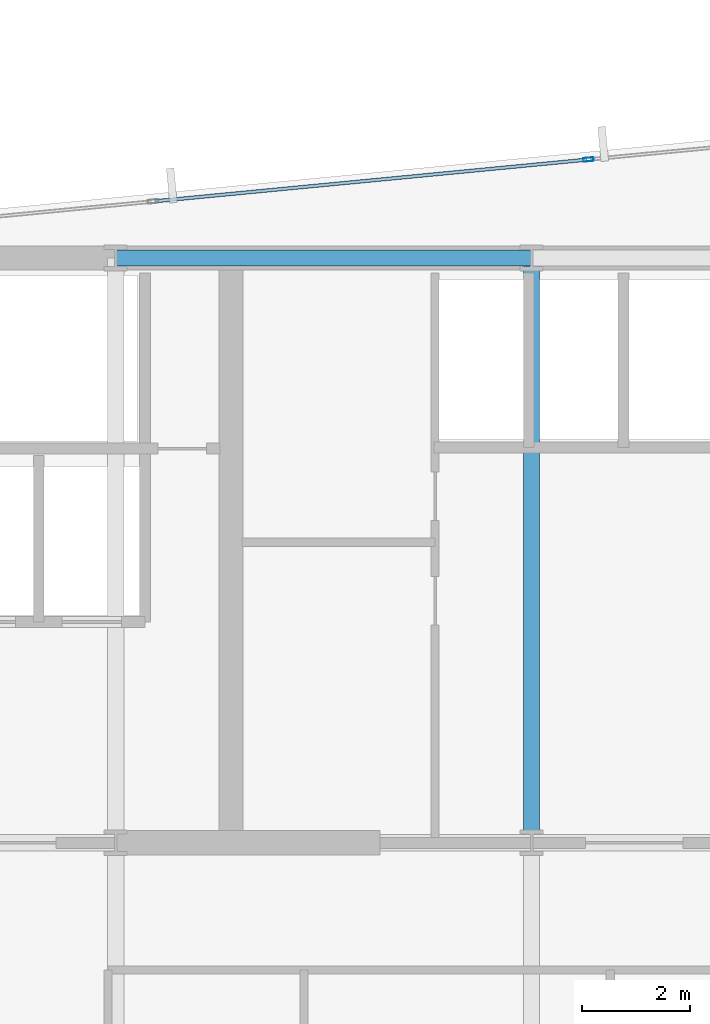
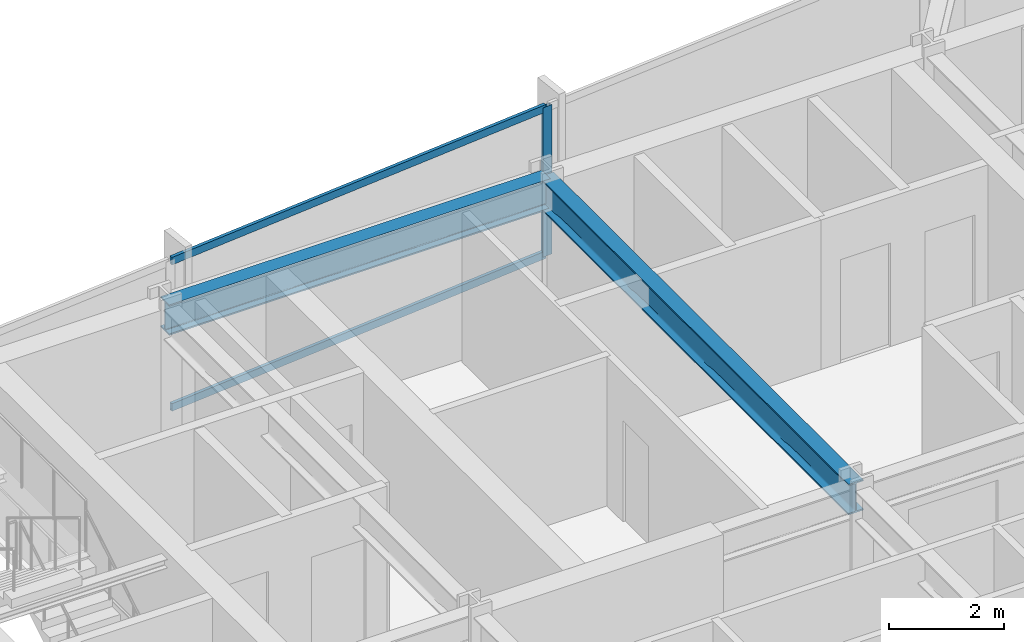
# One storey, part 19 of 32: 3 members, 2 beams, 1 element without a shape of its own.
"""IFC4 building model written with IfcOpenShell, lengths in metres."""

from ifc_helpers import new_model, si_unit, direction, frame, origin, origin_2d, place, context, subcontext, project, spatial, hollow_rectangle, i_section, extrude, material, material_profile, profile_set, type_object, element, aggregate, save


model = new_model("IFC4")

# Units and contexts
model_context = context("Model", 3, precision=1e-05, world=origin(), true_north=direction((0.0, 1.0)))
body_context = subcontext(model_context, "Body", "Model", "MODEL_VIEW")
ifc_project = project(units=[si_unit("LENGTHUNIT", "METRE"), si_unit("AREAUNIT", "SQUARE_METRE"), si_unit("VOLUMEUNIT", "CUBIC_METRE"), si_unit("PLANEANGLEUNIT", "RADIAN"), si_unit("MASSUNIT", "GRAM", prefix="KILO")], contexts=[model_context])

# Site, building, storey
site_placement = place(None, origin())
site = spatial("IfcSite", under=ifc_project, at=site_placement, CompositionType="ELEMENT")
building_placement = place(site_placement, origin())
building = spatial("IfcBuilding", under=site, at=building_placement, Name="Yelkora Congress Tower", CompositionType="ELEMENT")
storey_placement = place(building_placement, frame((0.0, 0.0, 116.89990234375)))
storey = spatial("IfcBuildingStorey", under=building, at=storey_placement, Name="L31", CompositionType="ELEMENT", Elevation=116.89990234375)

# Beams
ifc_material_1 = material(Name="Steel S355J2", Category="steel")
ifc_material_profile_1 = material_profile(ifc_material_1, i_section(OverallWidth=0.300048828125, OverallDepth=0.64990234375, WebThickness=0.01611328125, FlangeThickness=0.031005859375, FilletRadius=0.027099609375, at=origin_2d()), Name="HEB 650")
ifc_profile_set_1 = profile_set([ifc_material_profile_1], Name="Steel S355J2")
beam_type = type_object("IfcBeamType", Name="BM-GIRD-HEB650", PredefinedType="BEAM", material=ifc_profile_set_1)
beam_1_placement = place(storey_placement, frame((30.719970703125, 46.199951171875, 2.85498046875), z_axis=(1.0, 0.0, 0.0), x_axis=(0.0, 1.0, 0.0)))
element("IfcBeam", 1, at=beam_1_placement, inside=storey, type_object=beam_type, Name="L31 Core North Girder 3", PredefinedType="BEAM", context=body_context, shape_type="SweptSolid", body=[
    extrude(i_section(OverallWidth=0.300048828125, OverallDepth=0.64990234375, WebThickness=0.01611328125, FlangeThickness=0.031005859375, FilletRadius=0.027099609375, at=origin_2d()), origin(), (0.0, 0.0, 1.0), 7.679931640625),
])
beam_2_placement = place(storey_placement, frame((38.39990234375, 35.39990234375, 2.85498046875), z_axis=(0.0, 1.0, 0.0), x_axis=(-1.0, 0.0, 0.0)))
element("IfcBeam", 2, at=beam_2_placement, inside=storey, type_object=beam_type, Name="L31 Core Tie Girder MC-S3", PredefinedType="BEAM", context=body_context, shape_type="SweptSolid", body=[
    extrude(i_section(OverallWidth=0.300048828125, OverallDepth=0.64990234375, WebThickness=0.01611328125, FlangeThickness=0.031005859375, FilletRadius=0.027099609375, at=origin_2d()), origin(), (0.0, 0.0, 1.0), 10.800048828125),
])

# Curtain wall, members
ifc_material_2 = material(Name="Anodised aluminium and insulated glass", Category="aluminium")
curtain_wall_type = type_object("IfcCurtainWallType", Name="CW-SYS-B2", PredefinedType="NOTDEFINED", material=ifc_material_2)
curtain_wall_placement = place(storey_placement, origin())
curtain_wall = element("IfcCurtainWall", 3, at=curtain_wall_placement, inside=storey, type_object=curtain_wall_type, Name="L31 Unitised Curtain Wall 10 (3)", PredefinedType="NOTDEFINED")
ifc_material_3 = material(Name="Anodised aluminium 6063-T6", Category="aluminium")
ifc_material_profile_2 = material_profile(ifc_material_3, hollow_rectangle(XDim=0.070068359375, YDim=0.18994140625, WallThickness=0.00390625, at=origin_2d()), Name="ALU 70x190x4")
ifc_profile_set_2 = profile_set([ifc_material_profile_2], Name="Anodised aluminium 6063-T6")
member_type_1 = type_object("IfcMemberType", Name="MEM-ML-B2", PredefinedType="MULLION", material=ifc_profile_set_2)
member_1_placement = place(storey_placement, frame((39.451904296875, 48.018310546875, 0.0), z_axis=(0.0, 0.0, 1.0), x_axis=(-0.095844238468, 0.995396344153, 0.0)))
member_1 = element("IfcMember", 4, at=member_1_placement, type_object=member_type_1, Name="CW-B2 mullion 3", PredefinedType="MULLION", context=body_context, shape_type="SweptSolid", body=[
    extrude(hollow_rectangle(XDim=0.070068359375, YDim=0.18994140625, WallThickness=0.00390625, at=origin_2d()), origin(), (0.0, 0.0, 1.0), 3.18017578125),
])
ifc_material_profile_3 = material_profile(ifc_material_3, hollow_rectangle(XDim=0.06494140625, YDim=0.159912109375, WallThickness=0.00390625, at=origin_2d()), Name="ALU 65x160x4")
ifc_profile_set_3 = profile_set([ifc_material_profile_3], Name="Anodised aluminium 6063-T6")
member_type_2 = type_object("IfcMemberType", Name="MEM-TR-B2", PredefinedType="USERDEFINED", material=ifc_profile_set_3)
member_2_placement = place(storey_placement, frame((31.44677734375, 47.24755859375, 0.03271484375), z_axis=(0.995397793901, 0.09582918082, 0.0), x_axis=(-0.09582918082, 0.995397793901, 0.0)))
member_2 = element("IfcMember", 5, at=member_2_placement, type_object=member_type_2, Name="CW-B2 transom 2.1", ObjectType="TRANSOM", PredefinedType="USERDEFINED", context=body_context, shape_type="SweptSolid", body=[
    extrude(hollow_rectangle(XDim=0.06494140625, YDim=0.159912109375, WallThickness=0.00390625, at=origin_2d()), origin(), (0.0, 0.0, 1.0), 8.00732421875),
])
member_3_placement = place(storey_placement, frame((31.44677734375, 47.24755859375, 3.147705078125), z_axis=(0.995397793901, 0.09582918082, 0.0), x_axis=(-0.09582918082, 0.995397793901, 0.0)))
member_3 = element("IfcMember", 6, at=member_3_placement, type_object=member_type_2, Name="CW-B2 transom 2.2", ObjectType="TRANSOM", PredefinedType="USERDEFINED", context=body_context, shape_type="SweptSolid", body=[
    extrude(hollow_rectangle(XDim=0.06494140625, YDim=0.159912109375, WallThickness=0.00390625, at=origin_2d()), origin(), (0.0, 0.0, 1.0), 8.00732421875),
])
aggregate(curtain_wall, [member_1, member_2, member_3])

save(model, "model.ifc")
